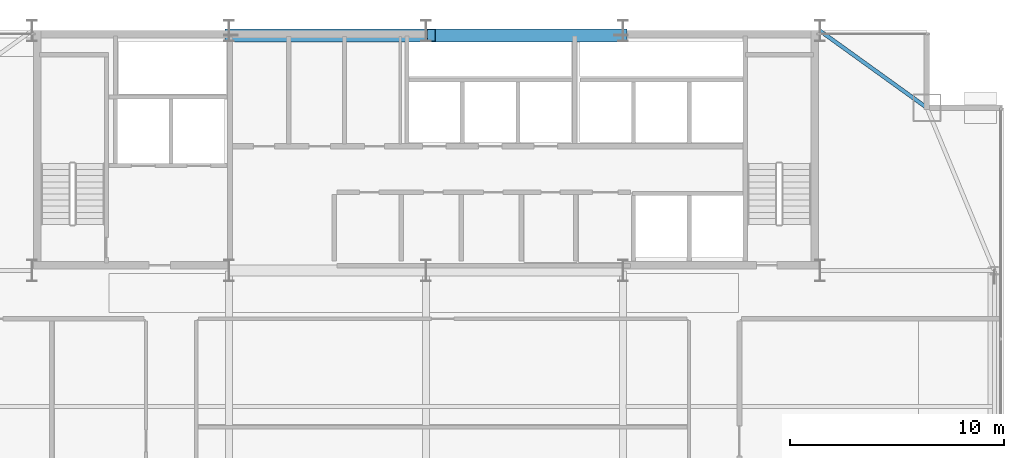
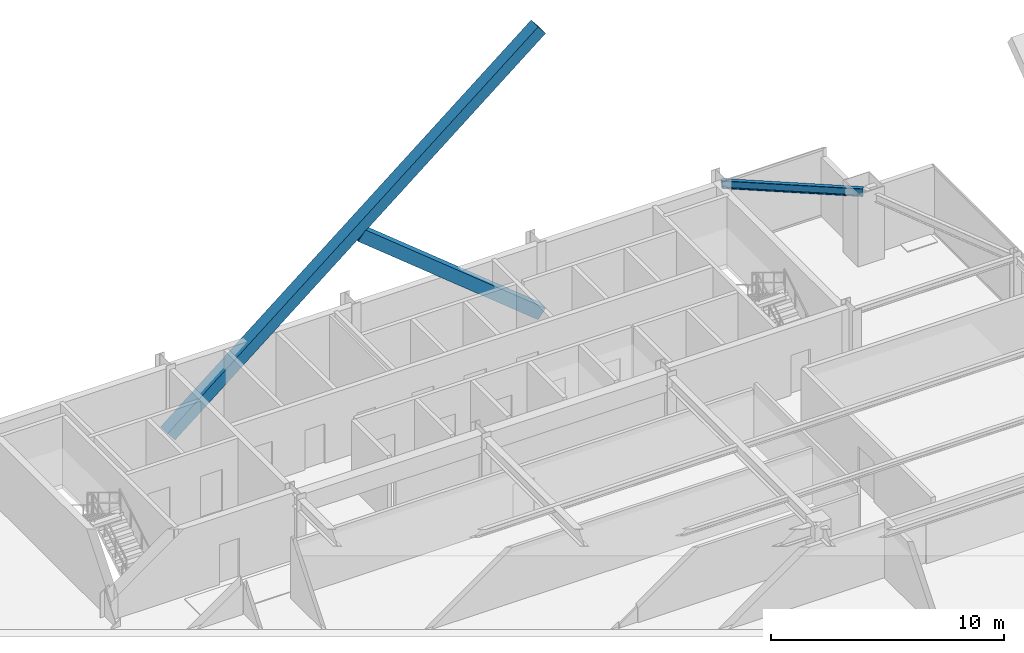
# One storey, part 22 of 33: 2 members, 1 beam.
"""IFC4 building model written with IfcOpenShell, lengths in metres."""

from ifc_helpers import new_model, si_unit, direction, frame, origin, origin_2d, place, context, subcontext, project, spatial, hollow_rectangle, i_section, extrude, source, transform, mapped, material, material_profile, profile_set, type_object, type_shapes, element, save


model = new_model("IFC4")

# Units and contexts
model_context = context("Model", 3, precision=1e-05, world=origin(), true_north=direction((0.0, 1.0)))
body_context = subcontext(model_context, "Body", "Model", "MODEL_VIEW")
ifc_project = project(units=[si_unit("LENGTHUNIT", "METRE"), si_unit("AREAUNIT", "SQUARE_METRE"), si_unit("VOLUMEUNIT", "CUBIC_METRE"), si_unit("PLANEANGLEUNIT", "RADIAN"), si_unit("MASSUNIT", "GRAM", prefix="KILO")], contexts=[model_context])

# Site, building, storey
site_placement = place(None, origin())
site = spatial("IfcSite", under=ifc_project, at=site_placement, CompositionType="ELEMENT")
building_placement = place(site_placement, origin())
building = spatial("IfcBuilding", under=site, at=building_placement, Name="Varnel Quay Broadcast Tower", CompositionType="ELEMENT")
storey_placement = place(building_placement, frame((0.0, 0.0, 145.800048828125)))
storey = spatial("IfcBuildingStorey", under=building, at=storey_placement, Name="L35", CompositionType="ELEMENT", Elevation=145.800048828125)

# Beam
ifc_material_1 = material(Name="Structural Steel CSA G40.21 350W", Category="steel")
ifc_material_profile_1 = material_profile(ifc_material_1, i_section(OverallWidth=0.180908203125, OverallDepth=0.4169921875, WebThickness=0.010986328125, FlangeThickness=0.018310546875, FilletRadius=0.011962890625, at=origin_2d()), Name="W410X85")
ifc_profile_set_1 = profile_set([ifc_material_profile_1], Name="Structural Steel CSA G40.21 350W")
beam_type = type_object("IfcBeamType", Name="Beam_W410X85", PredefinedType="SPANDREL", material=ifc_profile_set_1)
shared_shape_1 = source(origin(), body_context, "Body", "SweptSolid", [
    extrude(i_section(OverallWidth=0.180908203125, OverallDepth=0.4169921875, WebThickness=0.010986328125, FlangeThickness=0.018310546875, FilletRadius=0.011962890625, at=origin_2d()), origin(), (0.0, 0.0, 1.0), 6.12109375),
])
type_shapes(beam_type, [shared_shape_1])
beam_placement = place(storey_placement, frame((52.416259765625, 46.788330078125, 3.341552734375), z_axis=(0.811531315425, -0.584308928637, 0.0), x_axis=(0.584308928637, 0.811531315425, 0.0)))
element("IfcBeam", 1, at=beam_placement, inside=storey, type_object=beam_type, Name="L35 NE Tie Spandrel", PredefinedType="SPANDREL", context=body_context, shape_type="MappedRepresentation", body=[
    mapped(shared_shape_1, transform((0.0, 0.0, 0.0), x_axis=(1.0, 0.0, 0.0), y_axis=(0.0, 1.0, 0.0), z_axis=(0.0, 0.0, 1.0), scale=1.0)),
])

# Members
ifc_material_2 = material(Name="Structural Steel CSA G40.21 350WT", Category="steel")
ifc_material_profile_2 = material_profile(ifc_material_2, hollow_rectangle(XDim=0.60009765625, YDim=0.60009765625, WallThickness=0.028076171875, at=origin_2d()), Name="BOX600X600X28")
ifc_profile_set_2 = profile_set([ifc_material_profile_2], Name="Structural Steel CSA G40.21 350WT")
member_type = type_object("IfcMemberType", Name="Brace_BOX600X600X28", PredefinedType="BRACE", material=ifc_profile_set_2)
shared_shape_2 = source(origin(), body_context, "Body", "SweptSolid", [
    extrude(hollow_rectangle(XDim=0.60009765625, YDim=0.60009765625, WallThickness=0.028076171875, at=origin_2d()), origin(), (0.0, 0.0, 1.0), 23.6826171875),
])
member_1_placement = place(storey_placement, frame((24.800048828125, 46.580078125, 0.02001953125), z_axis=(0.77694013059, 0.0, 0.629574486045), x_axis=(0.0, 1.0, 0.0)))
element("IfcMember", 2, at=member_1_placement, inside=storey, type_object=member_type, Name="Zone 3 Mega-Brace N-CT1 Continuous Diag A", PredefinedType="BRACE", context=body_context, shape_type="MappedRepresentation", body=[
    mapped(shared_shape_2, transform((0.0, 0.0, 0.0), x_axis=(1.0, 0.0, 0.0), y_axis=(0.0, 1.0, 0.0), z_axis=(0.0, 0.0, 1.0), scale=1.0)),
])
shared_shape_3 = source(origin(), body_context, "Body", "SweptSolid", [
    extrude(hollow_rectangle(XDim=0.60009765625, YDim=0.60009765625, WallThickness=0.028076171875, at=origin_2d()), origin(), (0.0, 0.0, 1.0), 11.509521484375),
])
type_shapes(member_type, [shared_shape_2, shared_shape_3])
member_2_placement = place(storey_placement, frame((43.199951171875, 46.580078125, 0.02001953125), z_axis=(-0.776938015537, 0.0, 0.629577096163), x_axis=(0.0, -1.0, 0.0)))
element("IfcMember", 3, at=member_2_placement, inside=storey, type_object=member_type, Name="Zone 3 Mega-Brace N-CT1 Split Diag B1", PredefinedType="BRACE", context=body_context, shape_type="MappedRepresentation", body=[
    mapped(shared_shape_3, transform((0.0, 0.0, 0.0), x_axis=(1.0, 0.0, 0.0), y_axis=(0.0, 1.0, 0.0), z_axis=(0.0, 0.0, 1.0), scale=1.0)),
])

save(model, "model.ifc")
